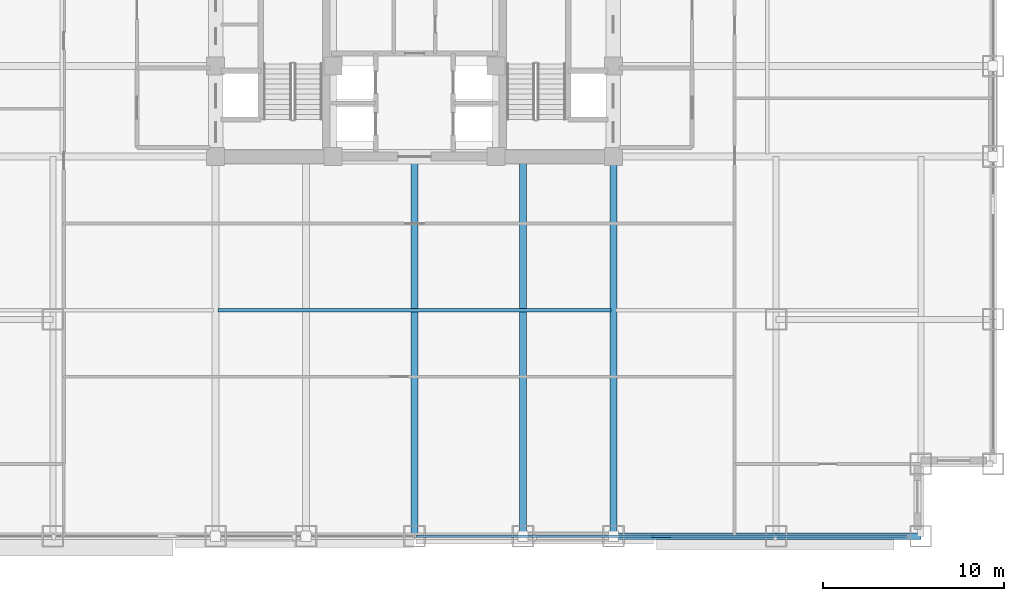
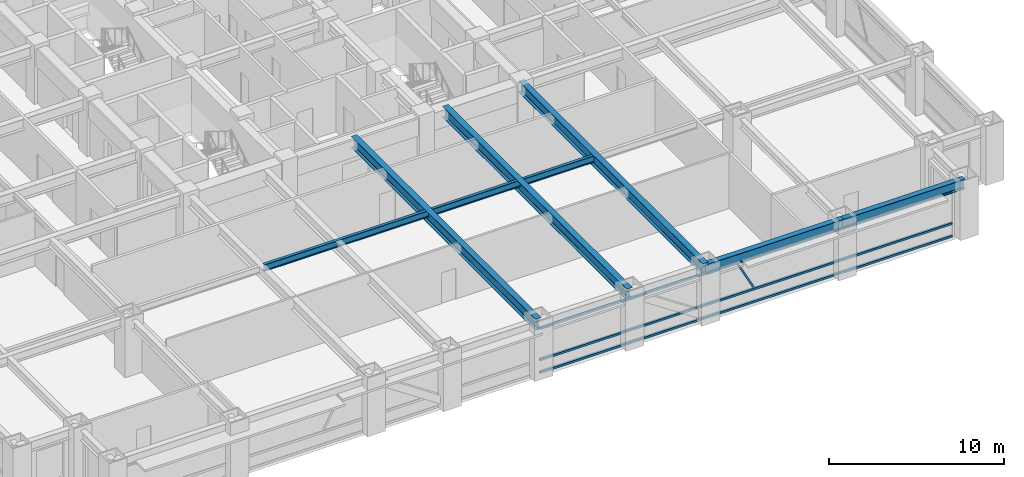
# One storey, part 5 of 32: 6 beams, 4 members, 1 element without a shape of its own.
"""IFC4 building model written with IfcOpenShell, lengths in metres."""

from ifc_helpers import new_model, si_unit, direction, frame, origin, origin_2d, place, context, subcontext, project, spatial, hollow_rectangle, i_section, extrude, source, transform, mapped, material, material_profile, profile_set, type_object, element, aggregate, save


model = new_model("IFC4")

# Units and contexts
model_context = context("Model", 3, precision=1e-05, world=origin(), true_north=direction((0.0, 1.0)))
body_context = subcontext(model_context, "Body", "Model", "MODEL_VIEW")
ifc_project = project(units=[si_unit("LENGTHUNIT", "METRE"), si_unit("AREAUNIT", "SQUARE_METRE"), si_unit("VOLUMEUNIT", "CUBIC_METRE"), si_unit("PLANEANGLEUNIT", "RADIAN"), si_unit("MASSUNIT", "GRAM", prefix="KILO")], contexts=[model_context])

# Site, building, storey
site_placement = place(None, origin())
site = spatial("IfcSite", under=ifc_project, at=site_placement, CompositionType="ELEMENT")
building_placement = place(site_placement, origin())
building = spatial("IfcBuilding", under=site, at=building_placement, Name="Khorayat Bourse Tower", CompositionType="ELEMENT")
storey_placement = place(building_placement, frame((0.0, 0.0, 95.5)))
storey = spatial("IfcBuildingStorey", under=building, at=storey_placement, Name="L21", CompositionType="ELEMENT", Elevation=95.5)

# Beams
ifc_material_1 = material(Name="Steel ASTM A992 Grade 50", Category="steel")
ifc_material_profile_1 = material_profile(ifc_material_1, i_section(OverallWidth=0.35498046875, OverallDepth=0.695068359375, WebThickness=0.015380859375, FlangeThickness=0.02490234375, FilletRadius=0.01806640625, at=origin_2d()), Name="W690X217")
ifc_profile_set_1 = profile_set([ifc_material_profile_1], Name="Steel ASTM A992 Grade 50")
beam_type_1 = type_object("IfcBeamType", Name="BM-SPAN-690", PredefinedType="SPANDREL", material=ifc_profile_set_1)
shared_shape_1 = source(origin(), body_context, "Body", "SweptSolid", [
    extrude(i_section(OverallWidth=0.35498046875, OverallDepth=0.695068359375, WebThickness=0.015380859375, FlangeThickness=0.02490234375, FilletRadius=0.01806640625, at=origin_2d()), origin(), (0.0, 0.0, 1.0), 9.0),
])
beam_1_placement = place(storey_placement, frame((11.0, -32.0, 3.492431640625), z_axis=(1.0, 0.0, 0.0), x_axis=(0.0, 1.0, 0.0)))
element("IfcBeam", 1, at=beam_1_placement, inside=storey, type_object=beam_type_1, Name="L21 BM-SPAN-690 BM-L21-SPN-030", PredefinedType="SPANDREL", context=body_context, shape_type="MappedRepresentation", body=[
    mapped(shared_shape_1, transform((0.0, 0.0, 0.0), scale=1.0)),
])
ifc_material_profile_2 = material_profile(ifc_material_1, i_section(OverallWidth=0.194091796875, OverallDepth=0.468994140625, WebThickness=0.0126953125, FlangeThickness=0.0205078125, FilletRadius=0.012939453125, at=origin_2d()), Name="W460X106")
ifc_profile_set_2 = profile_set([ifc_material_profile_2], Name="Steel ASTM A992 Grade 50")
beam_type_2 = type_object("IfcBeamType", Name="BM-JOIST-460", PredefinedType="JOIST", material=ifc_profile_set_2)
shared_shape_2 = source(origin(), body_context, "Body", "SweptSolid", [
    extrude(i_section(OverallWidth=0.194091796875, OverallDepth=0.468994140625, WebThickness=0.0126953125, FlangeThickness=0.0205078125, FilletRadius=0.012939453125, at=origin_2d()), origin(), (0.0, 0.0, 1.0), 21.740234375),
])
beam_2_placement = place(storey_placement, frame((-10.8701171875, -19.5, 3.60546875), z_axis=(1.0, 0.0, 0.0), x_axis=(0.0, 1.0, 0.0)))
element("IfcBeam", 2, at=beam_2_placement, inside=storey, type_object=beam_type_2, Name="L21 BM-JOIST-460 BM-L21-JSTX-097", PredefinedType="JOIST", context=body_context, shape_type="MappedRepresentation", body=[
    mapped(shared_shape_2, transform((0.0, 0.0, 0.0), scale=1.0)),
])
shared_shape_3 = source(origin(), body_context, "Body", "SweptSolid", [
    extrude(i_section(OverallWidth=0.35498046875, OverallDepth=0.695068359375, WebThickness=0.015380859375, FlangeThickness=0.02490234375, FilletRadius=0.01806640625, at=origin_2d()), origin(), (0.0, 0.0, 1.0), 8.0),
])
beam_3_placement = place(storey_placement, frame((20.0, -32.0, 3.492431640625), z_axis=(1.0, 0.0, 0.0), x_axis=(0.0, 1.0, 0.0)))
element("IfcBeam", 3, at=beam_3_placement, inside=storey, type_object=beam_type_1, Name="L21 BM-SPAN-690 BM-L21-SPN-031", PredefinedType="SPANDREL", context=body_context, shape_type="MappedRepresentation", body=[
    mapped(shared_shape_3, transform((0.0, 0.0, 0.0), scale=1.0)),
])
ifc_material_profile_3 = material_profile(ifc_material_1, i_section(OverallWidth=0.381103515625, OverallDepth=0.77294921875, WebThickness=0.0166015625, FlangeThickness=0.027587890625, FilletRadius=0.01806640625, at=origin_2d()), Name="W760X257")
ifc_profile_set_3 = profile_set([ifc_material_profile_3], Name="Steel ASTM A992 Grade 50")
beam_type_3 = type_object("IfcBeamType", Name="BM-GIRD-760", PredefinedType="BEAM", material=ifc_profile_set_3)
shared_shape_4 = source(origin(), body_context, "Body", "SweptSolid", [
    extrude(i_section(OverallWidth=0.381103515625, OverallDepth=0.77294921875, WebThickness=0.0166015625, FlangeThickness=0.027587890625, FilletRadius=0.01806640625, at=origin_2d()), origin(), (0.0, 0.0, 1.0), 21.0),
])
for number, where, z_axis, x_axis, name in (
    (4, (0.0, -32.0, 3.45361328125), (0.0, 1.0, 0.0), (-1.0, 0.0, 0.0), "L21 BM-GIRD-760 BM-L21-RADY-069"),
    (5, (6.0, -32.0, 3.45361328125), (0.0, 1.0, 0.0), (-1.0, 0.0, 0.0), "L21 BM-GIRD-760 BM-L21-RADY-071"),
    (6, (11.0, -32.0, 3.45361328125), (0.0, 1.0, 0.0), (-1.0, 0.0, 0.0), "L21 BM-GIRD-760 BM-L21-RADY-073"),
):
    element("IfcBeam", number, at=place(storey_placement, frame(where, z_axis=z_axis, x_axis=x_axis)), inside=storey, type_object=beam_type_3, Name=name, PredefinedType="BEAM", context=body_context, shape_type="MappedRepresentation", body=[
        mapped(shared_shape_4, transform((0.0, 0.0, 0.0), scale=1.0)),
    ])

# Curtain wall, members
ifc_material_2 = material(Name="Aluminium EN AW-6063 T6", Category="aluminium")
curtain_wall_type = type_object("IfcCurtainWallType", Name="CW-SYS-02", PredefinedType="NOTDEFINED", material=ifc_material_2)
curtain_wall_placement = place(storey_placement, origin())
curtain_wall = element("IfcCurtainWall", 7, at=curtain_wall_placement, inside=storey, type_object=curtain_wall_type, Name="L21 Curtain Wall CW-L21-S1", PredefinedType="NOTDEFINED")
ifc_material_profile_4 = material_profile(ifc_material_2, hollow_rectangle(XDim=0.139892578125, YDim=0.139892578125, WallThickness=0.006103515625, at=origin_2d()), Name="ALU 140x140x6")
ifc_profile_set_4 = profile_set([ifc_material_profile_4], Name="Aluminium EN AW-6063 T6")
member_type_1 = type_object("IfcMemberType", Name="CWT-HORZ-140", PredefinedType="USERDEFINED", material=ifc_profile_set_4)
shared_shape_5 = source(origin(), body_context, "Body", "SweptSolid", [
    extrude(hollow_rectangle(XDim=0.139892578125, YDim=0.139892578125, WallThickness=0.006103515625, at=origin_2d()), origin(), (0.0, 0.0, 1.0), 27.139892578125),
])
member_1_placement = place(storey_placement, frame((0.070068359375, -32.0, 0.070068359375), z_axis=(1.0, 0.0, 0.0), x_axis=(0.0, 1.0, 0.0)))
member_1 = element("IfcMember", 8, at=member_1_placement, type_object=member_type_1, Name="CW-L21-S1 Horizontal Transom 2-1", ObjectType="TRANSOM", PredefinedType="USERDEFINED", context=body_context, shape_type="MappedRepresentation", body=[
    mapped(shared_shape_5, transform((0.0, 0.0, 0.0), scale=1.0)),
])
member_2_placement = place(storey_placement, frame((0.070068359375, -32.0, 0.949951171875), z_axis=(1.0, 0.0, 0.0), x_axis=(0.0, 1.0, 0.0)))
member_2 = element("IfcMember", 9, at=member_2_placement, type_object=member_type_1, Name="CW-L21-S1 Horizontal Transom 2-2", ObjectType="TRANSOM", PredefinedType="USERDEFINED", context=body_context, shape_type="MappedRepresentation", body=[
    mapped(shared_shape_5, transform((0.0, 0.0, 0.0), scale=1.0)),
])
member_3_placement = place(storey_placement, frame((0.070068359375, -32.0, 3.1201171875), z_axis=(1.0, 0.0, 0.0), x_axis=(0.0, 1.0, 0.0)))
member_3 = element("IfcMember", 10, at=member_3_placement, type_object=member_type_1, Name="CW-L21-S1 Horizontal Transom 2-3", ObjectType="TRANSOM", PredefinedType="USERDEFINED", context=body_context, shape_type="MappedRepresentation", body=[
    mapped(shared_shape_5, transform((0.0, 0.0, 0.0), scale=1.0)),
])
ifc_material_profile_5 = material_profile(ifc_material_2, hollow_rectangle(XDim=0.1201171875, YDim=0.1201171875, WallThickness=0.0048828125, at=origin_2d()), Name="ALU 120x120x5")
ifc_profile_set_5 = profile_set([ifc_material_profile_5], Name="Aluminium EN AW-6063 T6")
member_type_2 = type_object("IfcMemberType", Name="CWM-DIAG-120", PredefinedType="MULLION", material=ifc_profile_set_5)
shared_shape_6 = source(origin(), body_context, "Body", "SweptSolid", [
    extrude(hollow_rectangle(XDim=0.1201171875, YDim=0.1201171875, WallThickness=0.0048828125, at=origin_2d()), origin(), (0.0, 0.0, 1.0), 2.113037109375),
])
member_4_placement = place(storey_placement, frame((14.132080078125, -32.0, 1.10009765625), z_axis=(-0.465741670874, 0.0, 0.884920728659), x_axis=(0.0, -1.0, 0.0)))
member_4 = element("IfcMember", 11, at=member_4_placement, type_object=member_type_2, Name="CW-L21-S1 Faceted Diagonal Mullion 2", PredefinedType="MULLION", context=body_context, shape_type="MappedRepresentation", body=[
    mapped(shared_shape_6, transform((0.0, 0.0, 0.0), scale=1.0)),
])
aggregate(curtain_wall, [member_1, member_2, member_3, member_4])

save(model, "model.ifc")
